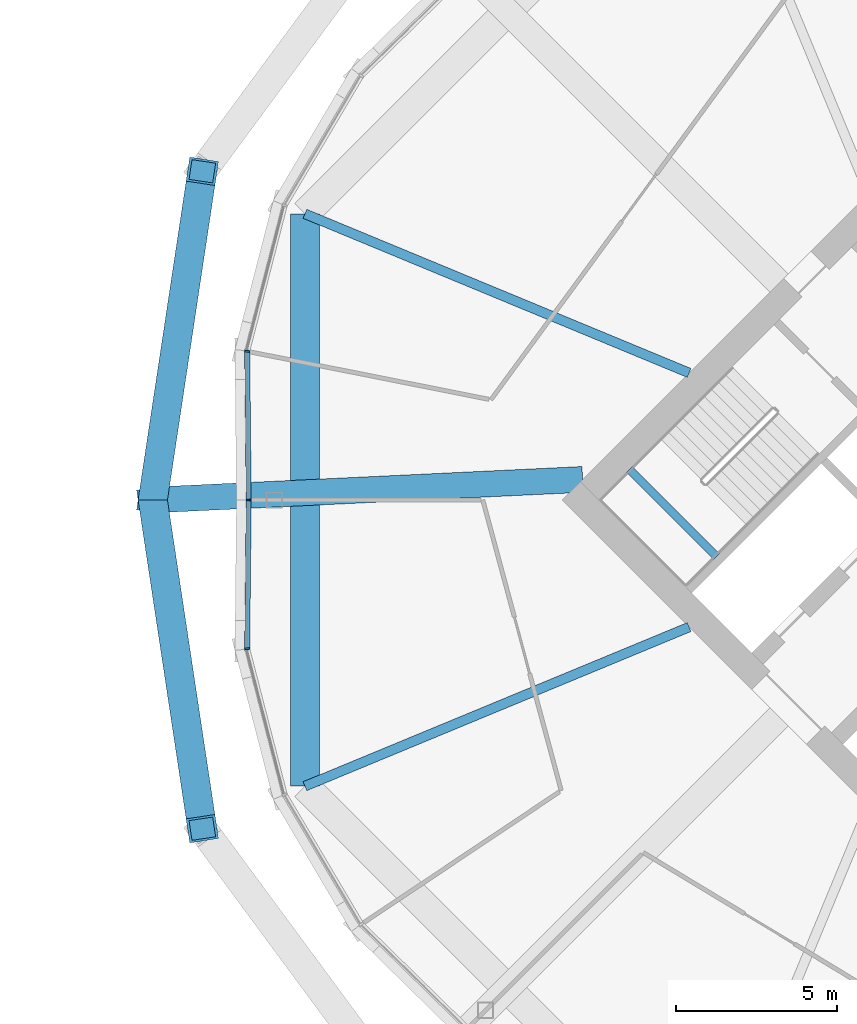
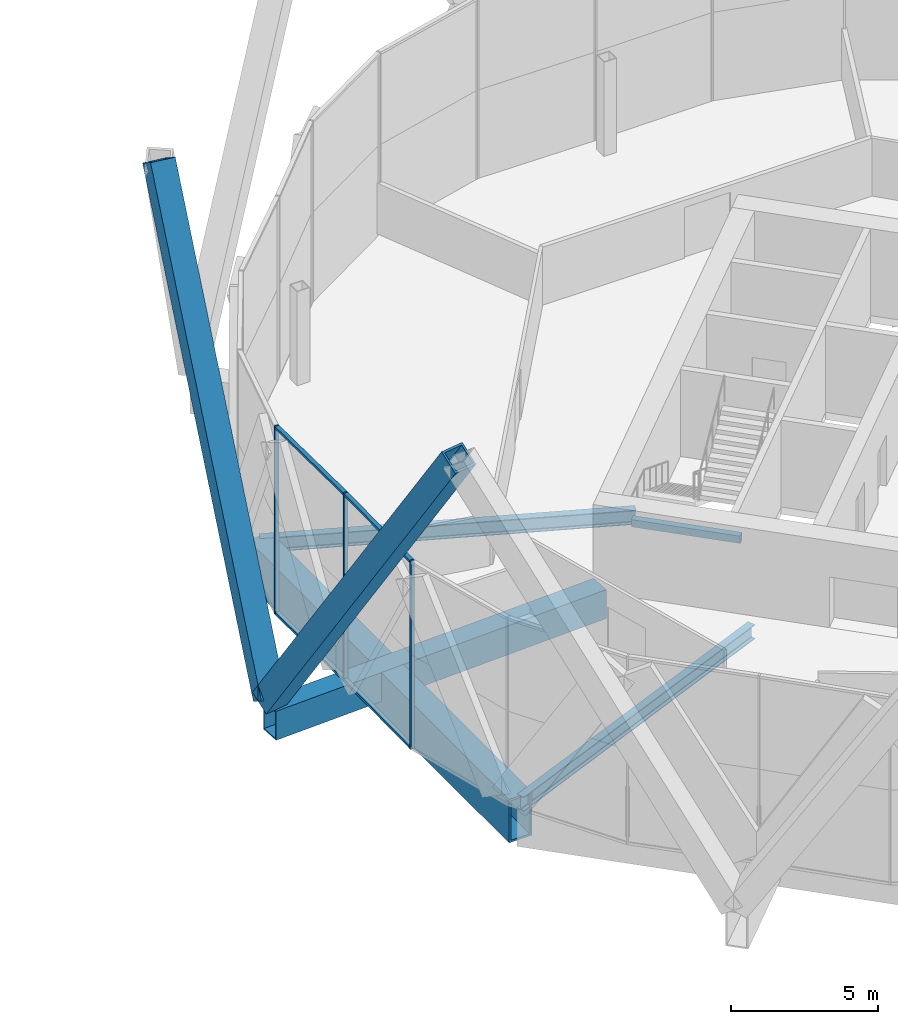
# One storey, part 12 of 28: 9 members, 5 beams, 2 elements without a shape of their own.
"""IFC4 building model written with IfcOpenShell, lengths in metres."""

from ifc_helpers import new_model, si_unit, direction, frame, origin, origin_2d, place, context, subcontext, project, spatial, rectangle, hollow_rectangle, i_section, extrude, material, material_profile, profile_set, type_object, element, aggregate, save


model = new_model("IFC4")

# Units and contexts
model_context = context("Model", 3, precision=1e-05, world=origin(), true_north=direction((0.0, 1.0)))
body_context = subcontext(model_context, "Body", "Model", "MODEL_VIEW")
ifc_project = project(units=[si_unit("LENGTHUNIT", "METRE"), si_unit("AREAUNIT", "SQUARE_METRE"), si_unit("VOLUMEUNIT", "CUBIC_METRE"), si_unit("PLANEANGLEUNIT", "RADIAN"), si_unit("MASSUNIT", "GRAM", prefix="KILO")], contexts=[model_context])

# Site, building, storey
site_placement = place(None, origin())
site = spatial("IfcSite", under=ifc_project, at=site_placement, CompositionType="ELEMENT")
building_placement = place(site_placement, origin())
building = spatial("IfcBuilding", under=site, at=building_placement, Name="Ogive Gate Towers", CompositionType="ELEMENT")
storey_placement = place(building_placement, frame((0.0, 0.0, 115.199951171875)))
storey = spatial("IfcBuildingStorey", under=building, at=storey_placement, Name="L27", CompositionType="ELEMENT", Elevation=115.199951171875)

# Members
ifc_material_1 = material(Name="Steel SM460", Category="steel")
ifc_material_profile_1 = material_profile(ifc_material_1, hollow_rectangle(XDim=0.89990234375, YDim=0.89990234375, WallThickness=0.080078125, at=origin_2d()), Name="BX 900x900x80")
ifc_profile_set_1 = profile_set([ifc_material_profile_1], Name="Steel SM460")
member_type_1 = type_object("IfcMemberType", Name="Diagrid diagonal BX 900x900x80", PredefinedType="BRACE", material=ifc_profile_set_1)
for number, where, z_axis, x_axis, name in (
    (1, (9.889892578125, 0.0, 0.0), (0.082121961007, 0.544627829519, 0.834647536889), (-0.988822121876, 0.149100004323, 0.0), "T2/L27/SDG009"),
    (2, (9.889892578125, 0.0, 0.0), (0.082121961007, -0.544627829519, 0.834647536889), (0.988822121876, 0.149100004323, 0.0), "T2/L27/SDG010"),
):
    element("IfcMember", number, at=place(storey_placement, frame(where, z_axis=z_axis, x_axis=x_axis)), inside=storey, type_object=member_type_1, Name=name, PredefinedType="BRACE", context=body_context, shape_type="SweptSolid", body=[
        extrude(hollow_rectangle(XDim=0.89990234375, YDim=0.89990234375, WallThickness=0.080078125, at=origin_2d()), origin(), (0.0, 0.0, 1.0), 18.690673828125),
    ])

# Beams
ifc_material_profile_2 = material_profile(ifc_material_1, hollow_rectangle(XDim=0.89990234375, YDim=1.800048828125, WallThickness=0.080078125, at=origin_2d()), Name="BX 1800x900x80")
ifc_profile_set_2 = profile_set([ifc_material_profile_2], Name="Steel SM460")
beam_type_1 = type_object("IfcBeamType", Name="Edge girder BX 1800x900x80", PredefinedType="BEAM", material=ifc_profile_set_2)
beam_1_placement = place(storey_placement, frame((14.60302734375, 8.863037109375, -1.199951171875), z_axis=(0.0, -1.0, 0.0), x_axis=(1.0, 0.0, 0.0)))
element("IfcBeam", 3, at=beam_1_placement, inside=storey, type_object=beam_type_1, Name="T2/L27/SBM024", PredefinedType="BEAM", context=body_context, shape_type="SweptSolid", body=[
    extrude(hollow_rectangle(XDim=0.89990234375, YDim=1.800048828125, WallThickness=0.080078125, at=origin_2d()), origin(), (0.0, 0.0, 1.0), 17.72607421875),
])
ifc_material_2 = material(Name="Concrete C40/50", Category="concrete")
ifc_material_profile_3 = material_profile(ifc_material_2, rectangle(XDim=0.25, YDim=0.300048828125, at=origin_2d()), Name="RC 250x300")
ifc_profile_set_3 = profile_set([ifc_material_profile_3], Name="Concrete C40/50")
beam_type_2 = type_object("IfcBeamType", Name="Landing bearer RC 250x300", PredefinedType="BEAM", material=ifc_profile_set_3)
beam_2_placement = place(storey_placement, frame((24.650390625, 0.9541015625, 1.60009765625), z_axis=(0.707106781187, -0.707106781187, 0.0), x_axis=(0.707106781187, 0.707106781187, 0.0)))
element("IfcBeam", 4, at=beam_2_placement, inside=storey, type_object=beam_type_2, Name="T2 L27 stair 1 landing bearer 1", PredefinedType="BEAM", context=body_context, shape_type="SweptSolid", body=[
    extrude(rectangle(XDim=0.25, YDim=0.300048828125, at=origin_2d()), origin(), (0.0, 0.0, 1.0), 3.824951171875),
])
ifc_material_3 = material(Name="Steel SM355", Category="steel")
ifc_material_profile_4 = material_profile(ifc_material_3, i_section(OverallWidth=0.300048828125, OverallDepth=0.590087890625, WebThickness=0.012939453125, FlangeThickness=0.02490234375, FilletRadius=0.027099609375, at=origin_2d()), Name="HE 600 A")
ifc_profile_set_4 = profile_set([ifc_material_profile_4], Name="Steel SM355")
beam_type_3 = type_object("IfcBeamType", Name="Radial floor beam HE 600 A", PredefinedType="BEAM", material=ifc_profile_set_4)
for number, where, z_axis, x_axis, name in (
    (5, (26.5, -3.93505859375, -0.594970703125), (-0.923877031545, -0.382689470177, 0.0), (0.382689470177, -0.923877031545, 0.0), "T2/L27/SBM001"),
    (6, (26.5, 3.93505859375, -0.594970703125), (-0.923877031545, 0.382689470177, 0.0), (-0.382689470177, -0.923877031545, 0.0), "T2/L27/SBM015"),
):
    element("IfcBeam", number, at=place(storey_placement, frame(where, z_axis=z_axis, x_axis=x_axis)), inside=storey, type_object=beam_type_3, Name=name, PredefinedType="BEAM", context=body_context, shape_type="SweptSolid", body=[
        extrude(i_section(OverallWidth=0.300048828125, OverallDepth=0.590087890625, WebThickness=0.012939453125, FlangeThickness=0.02490234375, FilletRadius=0.027099609375, at=origin_2d()), origin(), (0.0, 0.0, 1.0), 12.877197265625),
    ])

# Curtain wall, members
ifc_material_4 = material(Name="Pale metal aluminium", Category="aluminium")
curtain_wall_type = type_object("IfcCurtainWallType", Name="Tower unitised wall, low zone", PredefinedType="NOTDEFINED", material=ifc_material_4)
curtain_wall_1_placement = place(storey_placement, origin())
curtain_wall_1 = element("IfcCurtainWall", 7, at=curtain_wall_1_placement, inside=storey, type_object=curtain_wall_type, Name="CW1 T2 ECW04", PredefinedType="NOTDEFINED")
ifc_material_profile_5 = material_profile(ifc_material_4, rectangle(XDim=0.159912109375, YDim=0.06005859375, at=origin_2d()), Name="60 x 160 aluminium box")
ifc_profile_set_5 = profile_set([ifc_material_profile_5], Name="Pale metal aluminium")
member_type_2 = type_object("IfcMemberType", Name="Tower unitised wall, low zone mullion 60 x 160", PredefinedType="MULLION", material=ifc_profile_set_5)
member_1_placement = place(storey_placement, frame((12.8125, 4.606201171875, -0.300048828125), z_axis=(0.0, 0.0, 1.0), x_axis=(-0.992727957326, 0.120379411626, 0.0)))
member_1 = element("IfcMember", 8, at=member_1_placement, type_object=member_type_2, Name="CW1 mullion", PredefinedType="MULLION", context=body_context, shape_type="SweptSolid", body=[
    extrude(rectangle(XDim=0.159912109375, YDim=0.06005859375, at=origin_2d()), origin(), (0.0, 0.0, 1.0), 7.800048828125),
])
member_2_placement = place(storey_placement, frame((12.860107421875, 0.000244140625, -0.300048828125), z_axis=(0.0, 0.0, 1.0), x_axis=(-0.999947161375, -0.010279808233, 0.0)))
member_2 = element("IfcMember", 9, at=member_2_placement, type_object=member_type_2, Name="CW1 mullion", PredefinedType="MULLION", context=body_context, shape_type="SweptSolid", body=[
    extrude(rectangle(XDim=0.159912109375, YDim=0.06005859375, at=origin_2d()), origin(), (0.0, 0.0, 1.0), 7.800048828125),
])

# Curtain wall, member
curtain_wall_2_placement = place(storey_placement, origin())
curtain_wall_2 = element("IfcCurtainWall", 10, at=curtain_wall_2_placement, inside=storey, type_object=curtain_wall_type, Name="CW1 T2 ECW05", PredefinedType="NOTDEFINED")
member_3_placement = place(storey_placement, frame((12.8125, -4.606201171875, -0.300048828125), z_axis=(0.0, 0.0, 1.0), x_axis=(-0.992727957326, -0.120379411626, 0.0)))
member_3 = element("IfcMember", 11, at=member_3_placement, type_object=member_type_2, Name="CW1 mullion", PredefinedType="MULLION", context=body_context, shape_type="SweptSolid", body=[
    extrude(rectangle(XDim=0.159912109375, YDim=0.06005859375, at=origin_2d()), origin(), (0.0, 0.0, 1.0), 7.800048828125),
])

# Member
ifc_material_profile_6 = material_profile(ifc_material_4, rectangle(XDim=0.159912109375, YDim=0.10009765625, at=origin_2d()), Name="100 x 160 aluminium box")
ifc_profile_set_6 = profile_set([ifc_material_profile_6], Name="Pale metal aluminium")
member_type_3 = type_object("IfcMemberType", Name="Tower unitised wall, low zone transom 100 x 160", PredefinedType="USERDEFINED", material=ifc_profile_set_6)
member_4_placement = place(storey_placement, frame((12.81298828125, 4.57861328125, 7.449951171875), z_axis=(0.010251742504, -0.999947449507, 0.0), x_axis=(0.999947449507, 0.010251742504, 0.0)))
member_4 = element("IfcMember", 12, at=member_4_placement, type_object=member_type_3, Name="CW1 transom", ObjectType="TRANSOM", PredefinedType="USERDEFINED", context=body_context, shape_type="SweptSolid", body=[
    extrude(rectangle(XDim=0.159912109375, YDim=0.10009765625, at=origin_2d()), origin(), (0.0, 0.0, 1.0), 4.548583984375),
])

member_5_placement = place(storey_placement, frame((12.81298828125, 4.57861328125, -0.25), z_axis=(0.010251742504, -0.999947449507, 0.0), x_axis=(0.999947449507, 0.010251742504, 0.0)))
member_5 = element("IfcMember", 13, at=member_5_placement, type_object=member_type_3, Name="CW1 transom", ObjectType="TRANSOM", PredefinedType="USERDEFINED", context=body_context, shape_type="SweptSolid", body=[
    extrude(rectangle(XDim=0.159912109375, YDim=0.10009765625, at=origin_2d()), origin(), (0.0, 0.0, 1.0), 4.548583984375),
])

aggregate(curtain_wall_1, [member_1, member_2, member_4, member_5])

member_6_placement = place(storey_placement, frame((12.859619140625, -0.0302734375, 7.449951171875), z_axis=(-0.010251742504, -0.999947449507, 0.0), x_axis=(0.999947449507, -0.010251742504, 0.0)))
member_6 = element("IfcMember", 14, at=member_6_placement, type_object=member_type_3, Name="CW1 transom", ObjectType="TRANSOM", PredefinedType="USERDEFINED", context=body_context, shape_type="SweptSolid", body=[
    extrude(rectangle(XDim=0.159912109375, YDim=0.10009765625, at=origin_2d()), origin(), (0.0, 0.0, 1.0), 4.548583984375),
])

member_7_placement = place(storey_placement, frame((12.859619140625, -0.0302734375, -0.25), z_axis=(-0.010251742504, -0.999947449507, 0.0), x_axis=(0.999947449507, -0.010251742504, 0.0)))
member_7 = element("IfcMember", 15, at=member_7_placement, type_object=member_type_3, Name="CW1 transom", ObjectType="TRANSOM", PredefinedType="USERDEFINED", context=body_context, shape_type="SweptSolid", body=[
    extrude(rectangle(XDim=0.159912109375, YDim=0.10009765625, at=origin_2d()), origin(), (0.0, 0.0, 1.0), 4.548583984375),
])

aggregate(curtain_wall_2, [member_3, member_6, member_7])

# Beam
ifc_material_profile_7 = material_profile(ifc_material_1, hollow_rectangle(XDim=0.800048828125, YDim=1.199951171875, WallThickness=0.050048828125, at=origin_2d()), Name="BX 1200x800x50")
ifc_profile_set_7 = profile_set([ifc_material_profile_7], Name="Steel SM460")
beam_type_4 = type_object("IfcBeamType", Name="Transfer radial beam BX 1200x800x50", PredefinedType="BEAM", material=ifc_profile_set_7)
beam_3_placement = place(storey_placement, frame((23.201416015625, 0.636474609375, -0.89990234375), z_axis=(-0.998858876163, -0.047759245289, 0.0), x_axis=(0.047759245289, -0.998858876163, 0.0)))
element("IfcBeam", 16, at=beam_3_placement, inside=storey, type_object=beam_type_4, Name="T2/L27/SBM016", PredefinedType="BEAM", context=body_context, shape_type="SweptSolid", body=[
    extrude(hollow_rectangle(XDim=0.800048828125, YDim=1.199951171875, WallThickness=0.050048828125, at=origin_2d()), origin(), (0.0, 0.0, 1.0), 13.32666015625),
])

save(model, "model.ifc")
